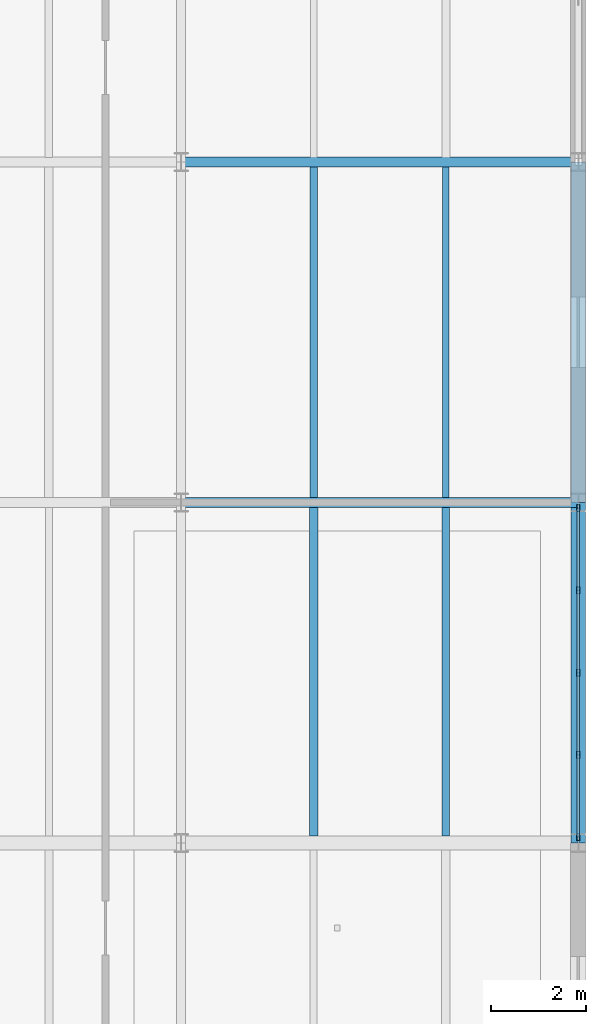
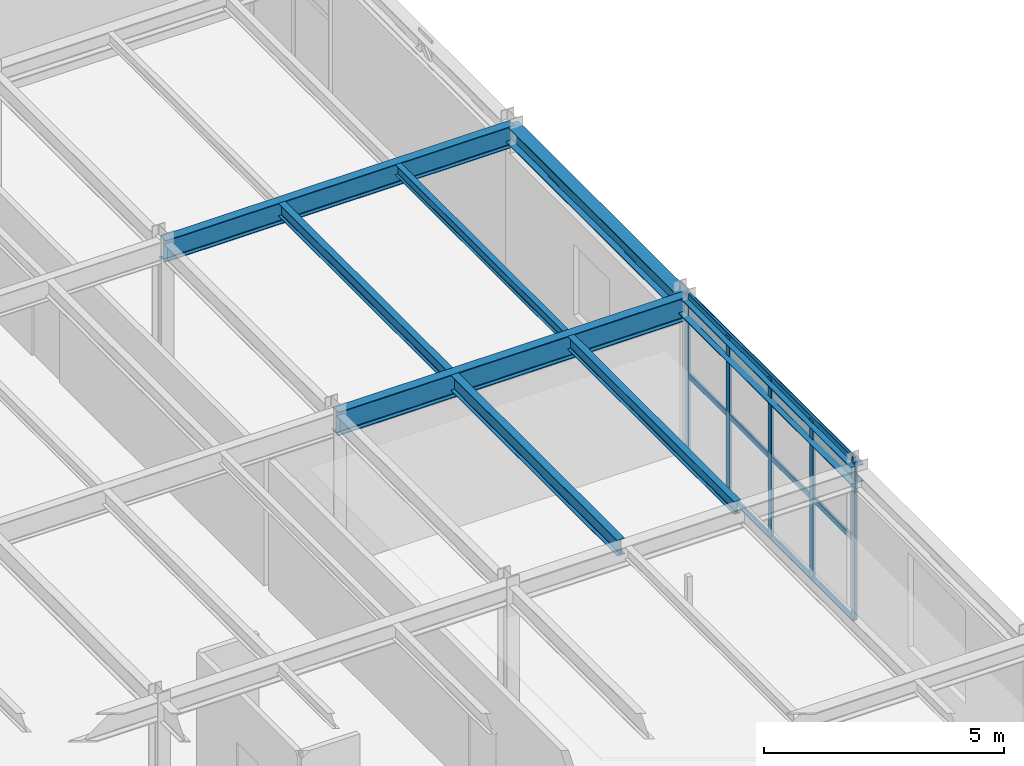
# One storey, part 81 of 134: 8 beams, 8 members, 1 element without a shape of its own.
"""IFC4 building model written with IfcOpenShell, lengths in metres."""

from ifc_helpers import new_model, si_unit, derived_unit, direction, frame, origin, origin_2d, place, context, subcontext, project, spatial, hollow_rectangle, i_section, extrude, material, material_profile, profile_set, type_object, element, aggregate, save


model = new_model("IFC4")

# Units and contexts
model_context = context("Model", 3, precision=1e-05, world=origin(), true_north=direction((0.0, 1.0)))
body_context = subcontext(model_context, "Body", "Model", "MODEL_VIEW")
ifc_project = project(units=[si_unit("LENGTHUNIT", "METRE"), si_unit("AREAUNIT", "SQUARE_METRE"), si_unit("VOLUMEUNIT", "CUBIC_METRE"), si_unit("PLANEANGLEUNIT", "RADIAN"), si_unit("MASSUNIT", "GRAM", prefix="KILO"), derived_unit("THERMALTRANSMITTANCEUNIT", [(si_unit("MASSUNIT", "GRAM", prefix="KILO"), 1), (si_unit("TIMEUNIT", "SECOND"), -3), (si_unit("THERMODYNAMICTEMPERATUREUNIT", "KELVIN"), -1)])], contexts=[model_context])

# Site, building, storey
site_placement = place(None, origin())
site = spatial("IfcSite", under=ifc_project, at=site_placement, CompositionType="ELEMENT")
building_placement = place(site_placement, origin())
building = spatial("IfcBuilding", under=site, at=building_placement, Name="Kharveza Railside Sports Centre", CompositionType="ELEMENT")
storey_placement = place(building_placement, frame((0.0, 0.0, 12.89990234375)))
storey = spatial("IfcBuildingStorey", under=building, at=storey_placement, Name="L03", CompositionType="ELEMENT", Elevation=12.89990234375)

# Beams
ifc_material_1 = material(Name="Steel S355J2", Category="steel")
ifc_material_profile_1 = material_profile(ifc_material_1, i_section(OverallWidth=0.219970703125, OverallDepth=0.60009765625, WebThickness=0.011962890625, FlangeThickness=0.01904296875, FilletRadius=0.02392578125, at=origin_2d()), Name="IPE 600")
ifc_profile_set_1 = profile_set([ifc_material_profile_1], Name="Steel S355J2")
beam_type_1 = type_object("IfcBeamType", Name="BM-G01", PredefinedType="T_BEAM", material=ifc_profile_set_1)
beam_1_placement = place(storey_placement, frame((159.60009765625, 57.60009765625, 3.66015625), z_axis=(1.0, 0.0, 0.0), x_axis=(0.0, 1.0, 0.0)))
element("IfcBeam", 1, at=beam_1_placement, inside=storey, type_object=beam_type_1, Name="BM-EW-L03-B01-X1596-Y576", PredefinedType="T_BEAM", context=body_context, shape_type="SweptSolid", body=[
    extrude(i_section(OverallWidth=0.219970703125, OverallDepth=0.60009765625, WebThickness=0.011962890625, FlangeThickness=0.01904296875, FilletRadius=0.02392578125, at=origin_2d()), origin(), (0.0, 0.0, 1.0), 8.39990234375),
])
ifc_material_profile_2 = material_profile(ifc_material_1, i_section(OverallWidth=0.2099609375, OverallDepth=0.550048828125, WebThickness=0.010986328125, FlangeThickness=0.01708984375, FilletRadius=0.02392578125, at=origin_2d()), Name="IPE 550")
ifc_profile_set_2 = profile_set([ifc_material_profile_2], Name="Steel S355J2")
beam_type_2 = type_object("IfcBeamType", Name="BM-G02", PredefinedType="T_BEAM", material=ifc_profile_set_2)
beam_2_placement = place(storey_placement, frame((159.60009765625, 64.800048828125, 3.68505859375), z_axis=(1.0, 0.0, 0.0), x_axis=(0.0, 1.0, 0.0)))
element("IfcBeam", 2, at=beam_2_placement, inside=storey, type_object=beam_type_2, Name="BM-EW-L03-B02-X1596-Y648", PredefinedType="T_BEAM", context=body_context, shape_type="SweptSolid", body=[
    extrude(i_section(OverallWidth=0.2099609375, OverallDepth=0.550048828125, WebThickness=0.010986328125, FlangeThickness=0.01708984375, FilletRadius=0.02392578125, at=origin_2d()), origin(), (0.0, 0.0, 1.0), 8.39990234375),
])
ifc_material_profile_3 = material_profile(ifc_material_1, i_section(OverallWidth=0.179931640625, OverallDepth=0.39990234375, WebThickness=0.008544921875, FlangeThickness=0.013427734375, FilletRadius=0.02099609375, at=origin_2d()), Name="IPE 400")
ifc_profile_set_3 = profile_set([ifc_material_profile_3], Name="Steel S355J2")
beam_type_3 = type_object("IfcBeamType", Name="BM-S01", PredefinedType="BEAM", material=ifc_profile_set_3)
beam_3_placement = place(storey_placement, frame((162.39990234375, 50.547119140625, 3.760009765625), z_axis=(0.0, 1.0, 0.0), x_axis=(-1.0, 0.0, 0.0)))
element("IfcBeam", 3, at=beam_3_placement, inside=storey, type_object=beam_type_3, Name="BM-SEC-L03-B09-X1624-Y504", PredefinedType="BEAM", context=body_context, shape_type="SweptSolid", body=[
    extrude(i_section(OverallWidth=0.179931640625, OverallDepth=0.39990234375, WebThickness=0.008544921875, FlangeThickness=0.013427734375, FilletRadius=0.02099609375, at=origin_2d()), origin(), (0.0, 0.0, 1.0), 6.94580078125),
])
ifc_material_profile_4 = material_profile(ifc_material_1, i_section(OverallWidth=0.159912109375, OverallDepth=0.330078125, WebThickness=0.007568359375, FlangeThickness=0.011474609375, FilletRadius=0.01806640625, at=origin_2d()), Name="IPE 330")
ifc_profile_set_4 = profile_set([ifc_material_profile_4], Name="Steel S355J2")
beam_type_4 = type_object("IfcBeamType", Name="BM-S03", PredefinedType="BEAM", material=ifc_profile_set_4)
beam_4_placement = place(storey_placement, frame((165.199951171875, 50.547119140625, 3.795166015625), z_axis=(0.0, 1.0, 0.0), x_axis=(-1.0, 0.0, 0.0)))
element("IfcBeam", 4, at=beam_4_placement, inside=storey, type_object=beam_type_4, Name="BM-SEC-L03-B11-X1652-Y504", PredefinedType="BEAM", context=body_context, shape_type="SweptSolid", body=[
    extrude(i_section(OverallWidth=0.159912109375, OverallDepth=0.330078125, WebThickness=0.007568359375, FlangeThickness=0.011474609375, FilletRadius=0.01806640625, at=origin_2d()), origin(), (0.0, 0.0, 1.0), 6.94580078125),
])
beam_5_placement = place(storey_placement, frame((162.39990234375, 57.70703125, 3.795166015625), z_axis=(0.0, 1.0, 0.0), x_axis=(-1.0, 0.0, 0.0)))
element("IfcBeam", 5, at=beam_5_placement, inside=storey, type_object=beam_type_4, Name="BM-SEC-L03-B11-X1624-Y576", PredefinedType="BEAM", context=body_context, shape_type="SweptSolid", body=[
    extrude(i_section(OverallWidth=0.159912109375, OverallDepth=0.330078125, WebThickness=0.007568359375, FlangeThickness=0.011474609375, FilletRadius=0.01806640625, at=origin_2d()), origin(), (0.0, 0.0, 1.0), 6.990966796875),
])
ifc_material_profile_5 = material_profile(ifc_material_1, i_section(OverallWidth=0.135009765625, OverallDepth=0.27001953125, WebThickness=0.006591796875, FlangeThickness=0.01025390625, FilletRadius=0.014892578125, at=origin_2d()), Name="IPE 270")
ifc_profile_set_5 = profile_set([ifc_material_profile_5], Name="Steel S355J2")
beam_type_5 = type_object("IfcBeamType", Name="BM-S05", PredefinedType="BEAM", material=ifc_profile_set_5)
beam_6_placement = place(storey_placement, frame((165.199951171875, 57.70703125, 3.8251953125), z_axis=(0.0, 1.0, 0.0), x_axis=(-1.0, 0.0, 0.0)))
element("IfcBeam", 6, at=beam_6_placement, inside=storey, type_object=beam_type_5, Name="BM-SEC-L03-B13-X1652-Y576", PredefinedType="BEAM", context=body_context, shape_type="SweptSolid", body=[
    extrude(i_section(OverallWidth=0.135009765625, OverallDepth=0.27001953125, WebThickness=0.006591796875, FlangeThickness=0.01025390625, FilletRadius=0.014892578125, at=origin_2d()), origin(), (0.0, 0.0, 1.0), 6.990966796875),
])
ifc_material_profile_6 = material_profile(ifc_material_1, i_section(OverallWidth=0.300048828125, OverallDepth=0.43994140625, WebThickness=0.011474609375, FlangeThickness=0.02099609375, FilletRadius=0.027099609375, at=origin_2d()), Name="HEA 450")
ifc_profile_set_6 = profile_set([ifc_material_profile_6], Name="Steel S355J2")
beam_type_6 = type_object("IfcBeamType", Name="BM-SP01", PredefinedType="SPANDREL", material=ifc_profile_set_6)
beam_7_placement = place(storey_placement, frame((168.0, 50.39990234375, 3.739990234375), z_axis=(0.0, 1.0, 0.0), x_axis=(-1.0, 0.0, 0.0)))
element("IfcBeam", 7, at=beam_7_placement, inside=storey, type_object=beam_type_6, Name="BM-NS-L03-B15-X1680-Y504", PredefinedType="SPANDREL", context=body_context, shape_type="SweptSolid", body=[
    extrude(i_section(OverallWidth=0.300048828125, OverallDepth=0.43994140625, WebThickness=0.011474609375, FlangeThickness=0.02099609375, FilletRadius=0.027099609375, at=origin_2d()), origin(), (0.0, 0.0, 1.0), 7.2001953125),
])
beam_8_placement = place(storey_placement, frame((168.0, 57.60009765625, 3.739990234375), z_axis=(0.0, 1.0, 0.0), x_axis=(-1.0, 0.0, 0.0)))
element("IfcBeam", 8, at=beam_8_placement, inside=storey, type_object=beam_type_6, Name="BM-NS-L03-B15-X1680-Y576", PredefinedType="SPANDREL", context=body_context, shape_type="SweptSolid", body=[
    extrude(i_section(OverallWidth=0.300048828125, OverallDepth=0.43994140625, WebThickness=0.011474609375, FlangeThickness=0.02099609375, FilletRadius=0.027099609375, at=origin_2d()), origin(), (0.0, 0.0, 1.0), 7.199951171875),
])

# Curtain wall, members
ifc_material_2 = material(Name="Low-E solar-control laminated glass", Category="glass")
curtain_wall_type = type_object("IfcCurtainWallType", Name="CW-WG02", PredefinedType="NOTDEFINED", material=ifc_material_2)
curtain_wall_placement = place(storey_placement, origin())
curtain_wall = element("IfcCurtainWall", 9, at=curtain_wall_placement, inside=storey, type_object=curtain_wall_type, Name="CW-WG-L03-CW-WG02-X1680-Y540", PredefinedType="NOTDEFINED")
ifc_material_3 = material(Name="Anodised aluminium 6063-T6", Category="aluminium")
ifc_material_profile_7 = material_profile(ifc_material_3, hollow_rectangle(XDim=0.06494140625, YDim=0.14990234375, WallThickness=0.0048828125, InnerFilletRadius=0.0048828125, OuterFilletRadius=0.010009765625, at=origin_2d()), Name="RHS 65x150x5.0")
ifc_profile_set_7 = profile_set([ifc_material_profile_7], Name="Anodised aluminium 6063-T6")
member_type_1 = type_object("IfcMemberType", Name="CW-ML04", PredefinedType="MULLION", material=ifc_profile_set_7)
member_1_placement = place(storey_placement, frame((168.0, 50.52001953125, 0.0), z_axis=(0.0, 0.0, 1.0), x_axis=(1.0, 0.0, 0.0)))
member_1 = element("IfcMember", 10, at=member_1_placement, type_object=member_type_1, Name="CW-WG-L03-CW-WG02-X1680-Y540-ML1", PredefinedType="MULLION", context=body_context, shape_type="SweptSolid", body=[
    extrude(hollow_rectangle(XDim=0.06494140625, YDim=0.14990234375, WallThickness=0.0048828125, InnerFilletRadius=0.0048828125, OuterFilletRadius=0.010009765625, at=origin_2d()), origin(), (0.0, 0.0, 1.0), 4.03515625),
])
member_2_placement = place(storey_placement, frame((168.0, 52.260009765625, 0.0), z_axis=(0.0, 0.0, 1.0), x_axis=(1.0, 0.0, 0.0)))
member_2 = element("IfcMember", 11, at=member_2_placement, type_object=member_type_1, Name="CW-WG-L03-CW-WG02-X1680-Y540-ML2", PredefinedType="MULLION", context=body_context, shape_type="SweptSolid", body=[
    extrude(hollow_rectangle(XDim=0.06494140625, YDim=0.14990234375, WallThickness=0.0048828125, InnerFilletRadius=0.0048828125, OuterFilletRadius=0.010009765625, at=origin_2d()), origin(), (0.0, 0.0, 1.0), 4.03515625),
])
member_3_placement = place(storey_placement, frame((168.0, 54.0, 0.0), z_axis=(0.0, 0.0, 1.0), x_axis=(1.0, 0.0, 0.0)))
member_3 = element("IfcMember", 12, at=member_3_placement, type_object=member_type_1, Name="CW-WG-L03-CW-WG02-X1680-Y540-ML3", PredefinedType="MULLION", context=body_context, shape_type="SweptSolid", body=[
    extrude(hollow_rectangle(XDim=0.06494140625, YDim=0.14990234375, WallThickness=0.0048828125, InnerFilletRadius=0.0048828125, OuterFilletRadius=0.010009765625, at=origin_2d()), origin(), (0.0, 0.0, 1.0), 4.03515625),
])
member_4_placement = place(storey_placement, frame((168.0, 55.739990234375, 0.0), z_axis=(0.0, 0.0, 1.0), x_axis=(1.0, 0.0, 0.0)))
member_4 = element("IfcMember", 13, at=member_4_placement, type_object=member_type_1, Name="CW-WG-L03-CW-WG02-X1680-Y540-ML4", PredefinedType="MULLION", context=body_context, shape_type="SweptSolid", body=[
    extrude(hollow_rectangle(XDim=0.06494140625, YDim=0.14990234375, WallThickness=0.0048828125, InnerFilletRadius=0.0048828125, OuterFilletRadius=0.010009765625, at=origin_2d()), origin(), (0.0, 0.0, 1.0), 4.03515625),
])
member_5_placement = place(storey_placement, frame((168.0, 57.47998046875, 0.0), z_axis=(0.0, 0.0, 1.0), x_axis=(1.0, 0.0, 0.0)))
member_5 = element("IfcMember", 14, at=member_5_placement, type_object=member_type_1, Name="CW-WG-L03-CW-WG02-X1680-Y540-ML5", PredefinedType="MULLION", context=body_context, shape_type="SweptSolid", body=[
    extrude(hollow_rectangle(XDim=0.06494140625, YDim=0.14990234375, WallThickness=0.0048828125, InnerFilletRadius=0.0048828125, OuterFilletRadius=0.010009765625, at=origin_2d()), origin(), (0.0, 0.0, 1.0), 4.03515625),
])
ifc_material_profile_8 = material_profile(ifc_material_3, hollow_rectangle(XDim=0.06005859375, YDim=0.139892578125, WallThickness=0.0048828125, InnerFilletRadius=0.0048828125, OuterFilletRadius=0.010009765625, at=origin_2d()), Name="RHS 60x140x5.0")
ifc_profile_set_8 = profile_set([ifc_material_profile_8], Name="Anodised aluminium 6063-T6")
member_type_2 = type_object("IfcMemberType", Name="CW-TR04", PredefinedType="USERDEFINED", material=ifc_profile_set_8)
member_6_placement = place(storey_placement, frame((168.0, 50.52001953125, 0.0), z_axis=(0.0, 1.0, 0.0), x_axis=(-1.0, 0.0, 0.0)))
member_6 = element("IfcMember", 15, at=member_6_placement, type_object=member_type_2, Name="CW-WG-L03-CW-WG02-X1680-Y540-TR1", ObjectType="TRANSOM", PredefinedType="USERDEFINED", context=body_context, shape_type="SweptSolid", body=[
    extrude(hollow_rectangle(XDim=0.06005859375, YDim=0.139892578125, WallThickness=0.0048828125, InnerFilletRadius=0.0048828125, OuterFilletRadius=0.010009765625, at=origin_2d()), origin(), (0.0, 0.0, 1.0), 6.9599609375),
])
member_7_placement = place(storey_placement, frame((168.0, 50.52001953125, 2.017578125), z_axis=(0.0, 1.0, 0.0), x_axis=(-1.0, 0.0, 0.0)))
member_7 = element("IfcMember", 16, at=member_7_placement, type_object=member_type_2, Name="CW-WG-L03-CW-WG02-X1680-Y540-TR2", ObjectType="TRANSOM", PredefinedType="USERDEFINED", context=body_context, shape_type="SweptSolid", body=[
    extrude(hollow_rectangle(XDim=0.06005859375, YDim=0.139892578125, WallThickness=0.0048828125, InnerFilletRadius=0.0048828125, OuterFilletRadius=0.010009765625, at=origin_2d()), origin(), (0.0, 0.0, 1.0), 6.9599609375),
])
member_8_placement = place(storey_placement, frame((168.0, 50.52001953125, 4.03515625), z_axis=(0.0, 1.0, 0.0), x_axis=(-1.0, 0.0, 0.0)))
member_8 = element("IfcMember", 17, at=member_8_placement, type_object=member_type_2, Name="CW-WG-L03-CW-WG02-X1680-Y540-TR3", ObjectType="TRANSOM", PredefinedType="USERDEFINED", context=body_context, shape_type="SweptSolid", body=[
    extrude(hollow_rectangle(XDim=0.06005859375, YDim=0.139892578125, WallThickness=0.0048828125, InnerFilletRadius=0.0048828125, OuterFilletRadius=0.010009765625, at=origin_2d()), origin(), (0.0, 0.0, 1.0), 6.9599609375),
])
aggregate(curtain_wall, [member_1, member_2, member_3, member_4, member_5, member_6, member_7, member_8])

save(model, "model.ifc")
